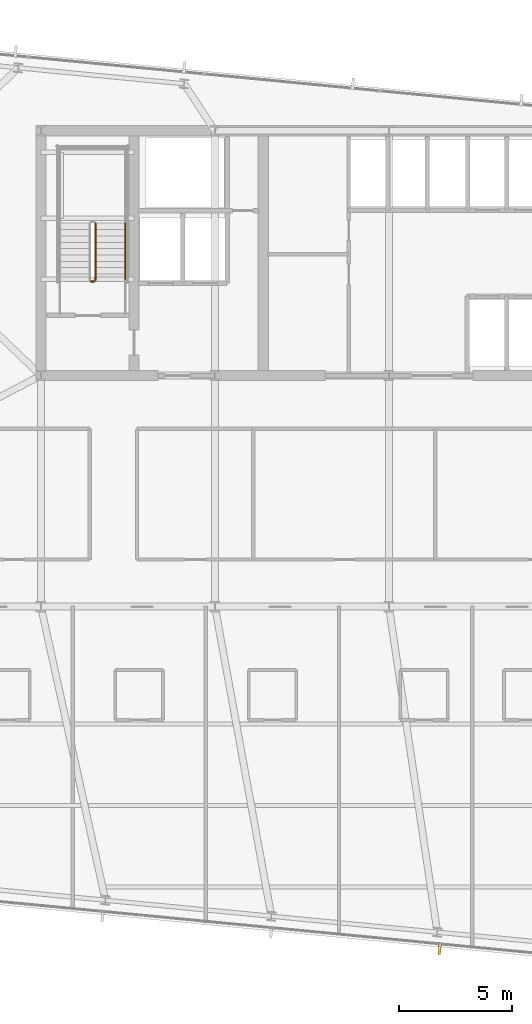
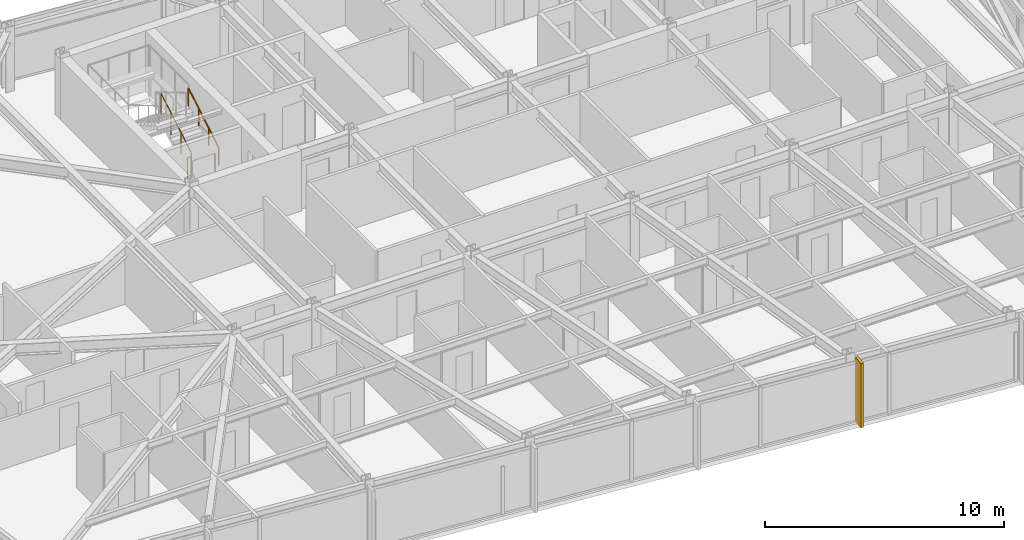
# One storey, part 34 of 37: 3 railings, 1 shading device.
"""IFC4 building model written with IfcOpenShell, lengths in metres."""

from ifc_helpers import new_model, si_unit, direction, frame, origin, origin_2d, place, context, subcontext, project, spatial, rectangle, circle, extrude, material, layer, layer_set, type_object, element, save


model = new_model("IFC4")

# Units and contexts
model_context = context("Model", 3, precision=1e-05, world=origin(), true_north=direction((0.0, 1.0)))
body_context = subcontext(model_context, "Body", "Model", "MODEL_VIEW")
ifc_project = project(units=[si_unit("LENGTHUNIT", "METRE"), si_unit("AREAUNIT", "SQUARE_METRE"), si_unit("VOLUMEUNIT", "CUBIC_METRE"), si_unit("PLANEANGLEUNIT", "RADIAN"), si_unit("MASSUNIT", "GRAM", prefix="KILO")], contexts=[model_context])

# Site, building, storey
site_placement = place(None, origin())
site = spatial("IfcSite", under=ifc_project, at=site_placement, CompositionType="ELEMENT")
building_placement = place(site_placement, origin())
building = spatial("IfcBuilding", under=site, at=building_placement, Name="Yelkora Congress Tower", CompositionType="ELEMENT")
storey_placement = place(building_placement, frame((0.0, 0.0, 162.199951171875)))
storey = spatial("IfcBuildingStorey", under=building, at=storey_placement, Name="L44", CompositionType="ELEMENT", Elevation=162.199951171875)

# Railings
ifc_material_1 = material(Name="Painted galvanised steel stair well guard with vertical infill", Category="steel")
ifc_layer_1 = layer(ifc_material_1, 0.06005859375)
ifc_layer_set_1 = layer_set([ifc_layer_1], Name="Painted galvanised steel stair well guard with vertical infill")
railing_type_1 = type_object("IfcRailingType", Name="RAIL-STAIR-GUARD-1120", PredefinedType="GUARDRAIL", material=ifc_layer_set_1)
railing_1_placement = place(storey_placement, frame((25.449951171875, 39.60009765625, 0.1650390625)))
element("IfcRailing", 1, at=railing_1_placement, inside=storey, type_object=railing_type_1, Name="ST-01 L44 Stair Well Guardrail 1", PredefinedType="GUARDRAIL", context=body_context, shape_type="SweptSolid", body=[
    extrude(circle(Radius=0.02392578125, at=origin_2d()), frame((0.0, 0.0, 1.09619140625), z_axis=(0.0, 0.86152411907, 0.507716645641), x_axis=(-1.0, 0.0, 0.0)), (0.0, 0.0, 1.0), 2.925048828125),
    extrude(circle(Radius=0.02099609375, at=origin_2d()), origin(), (0.0, 0.0, 1.0), 1.072021484375),
    extrude(circle(Radius=0.02099609375, at=origin_2d()), frame((0.0, 0.840087890625, 0.4951171875)), (0.0, 0.0, 1.0), 1.072021484375),
    extrude(circle(Radius=0.02099609375, at=origin_2d()), frame((0.0, 1.679931640625, 0.989990234375)), (0.0, 0.0, 1.0), 1.072021484375),
    extrude(circle(Radius=0.02099609375, at=origin_2d()), frame((0.0, 2.52001953125, 1.485107421875)), (0.0, 0.0, 1.0), 1.072021484375),
])
railing_2_placement = place(storey_placement, frame((25.39990234375, 39.550048828125, 0.0)))
element("IfcRailing", 2, at=railing_2_placement, inside=storey, type_object=railing_type_1, Name="ST-01 L44 Stair Well Guardrail 7", PredefinedType="GUARDRAIL", context=body_context, shape_type="SweptSolid", body=[
    extrude(circle(Radius=0.02392578125, at=origin_2d()), frame((0.0, 0.0, 1.09619140625), z_axis=(-1.0, 0.0, 0.0), x_axis=(0.0, -1.0, 0.0)), (0.0, 0.0, 1.0), 0.159912109375),
    extrude(circle(Radius=0.02099609375, at=origin_2d()), origin(), (0.0, 0.0, 1.0), 1.072021484375),
    extrude(circle(Radius=0.02099609375, at=origin_2d()), frame((-0.159912109375, 0.0, 0.0)), (0.0, 0.0, 1.0), 1.072021484375),
])
ifc_material_2 = material(Name="Brushed stainless steel tubular handrail", Category="steel")
ifc_layer_2 = layer(ifc_material_2, 0.050048828125)
ifc_layer_set_2 = layer_set([ifc_layer_2], Name="Brushed stainless steel tubular handrail")
railing_type_2 = type_object("IfcRailingType", Name="RAIL-STAIR-HAND-920", PredefinedType="HANDRAIL", material=ifc_layer_set_2)
railing_3_placement = place(storey_placement, frame((26.77001953125, 39.60009765625, 0.1650390625)))
element("IfcRailing", 3, at=railing_3_placement, inside=storey, type_object=railing_type_2, Name="ST-01 L44 Pitch Handrail 1", PredefinedType="HANDRAIL", context=body_context, shape_type="SweptSolid", body=[
    extrude(circle(Radius=0.02392578125, at=origin_2d()), frame((0.0, 0.0, 0.89599609375), z_axis=(0.0, 0.86152411907, 0.507716645641), x_axis=(-1.0, 0.0, 0.0)), (0.0, 0.0, 1.0), 2.925048828125),
    extrude(circle(Radius=0.02099609375, at=origin_2d()), origin(), (0.0, 0.0, 1.0), 0.871826171875),
    extrude(circle(Radius=0.02099609375, at=origin_2d()), frame((0.0, 0.840087890625, 0.4951171875)), (0.0, 0.0, 1.0), 0.871826171875),
    extrude(circle(Radius=0.02099609375, at=origin_2d()), frame((0.0, 1.679931640625, 0.989990234375)), (0.0, 0.0, 1.0), 0.871826171875),
    extrude(circle(Radius=0.02099609375, at=origin_2d()), frame((0.0, 2.52001953125, 1.485107421875)), (0.0, 0.0, 1.0), 0.871826171875),
])

# Shading device
ifc_material_3 = material(Name="Champagne anodised aluminium", Category="aluminium")
ifc_layer_3 = layer(ifc_material_3, 3.300048828125)
ifc_layer_set_3 = layer_set([ifc_layer_3], Name="Champagne anodised aluminium")
shading_device_type = type_object("IfcShadingDeviceType", Name="SHD-FIN-ALU-520", PredefinedType="USERDEFINED", material=ifc_layer_set_3)
shading_device_placement = place(storey_placement, frame((40.642333984375, 10.10791015625, -0.02978515625), z_axis=(0.0, 0.0, 1.0), x_axis=(-0.995396198367, 0.09584575252, 0.0)))
element("IfcShadingDevice", 4, at=shading_device_placement, inside=storey, type_object=shading_device_type, Name="L44 Vertical Anodised Solar Fin 20-2", ObjectType="FIN", PredefinedType="USERDEFINED", context=body_context, shape_type="SweptSolid", body=[
    extrude(rectangle(XDim=0.1201171875, YDim=0.52001953125, at=origin_2d()), origin(), (0.0, 0.0, 1.0), 3.280029296875),
])

save(model, "model.ifc")
